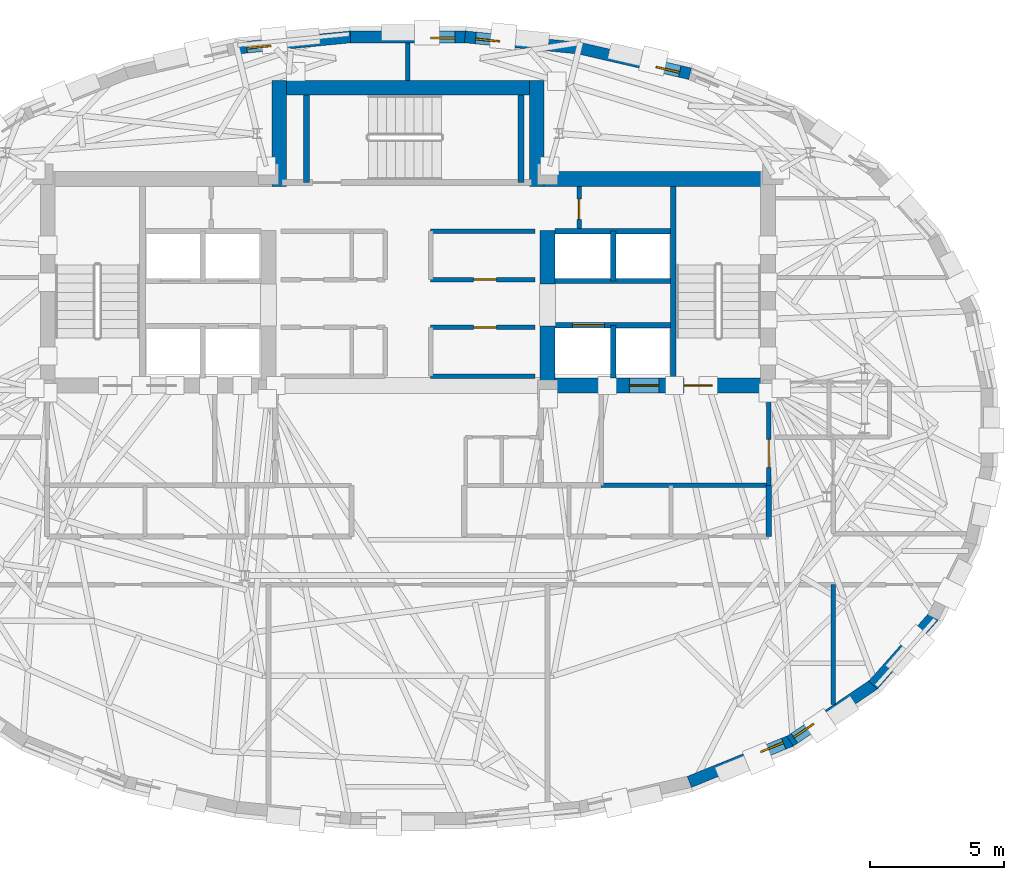
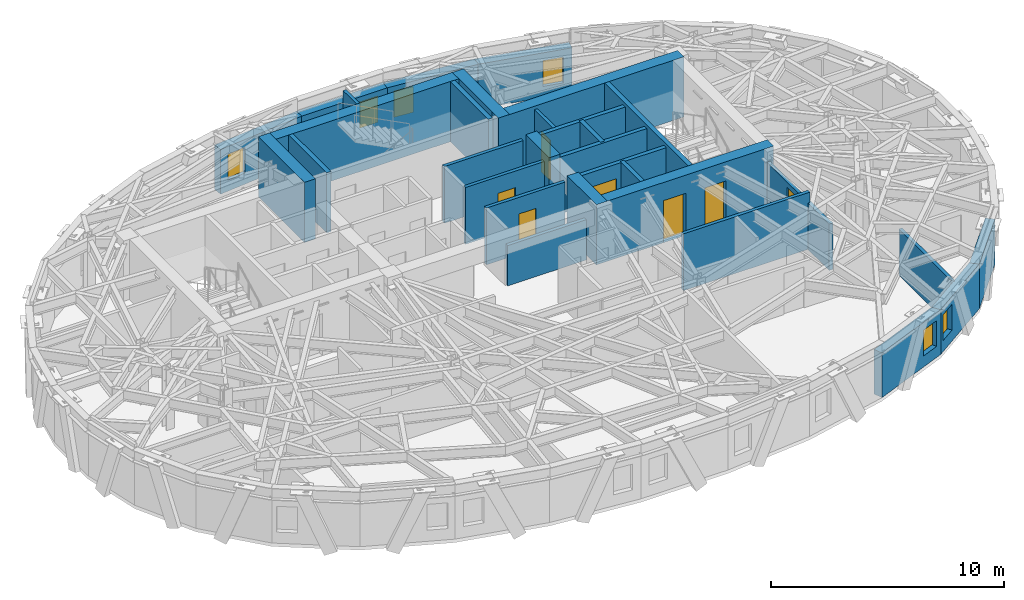
# One storey, part 8 of 12: 32 walls, 7 doors, 6 windows, 13 openings.
"""IFC4 building model written with IfcOpenShell, lengths in metres."""

from ifc_helpers import new_model, si_unit, direction, frame, frame_2d, origin, place, context, subcontext, project, spatial, rectangle, extrude, material, layer, layer_set, type_object, element, fill, save


model = new_model("IFC4")

# Units and contexts
model_context = context("Model", 3, precision=1e-05, world=origin(), true_north=direction((0.0, 1.0)))
body_context = subcontext(model_context, "Body", "Model", "MODEL_VIEW")
ifc_project = project(units=[si_unit("LENGTHUNIT", "METRE"), si_unit("AREAUNIT", "SQUARE_METRE"), si_unit("VOLUMEUNIT", "CUBIC_METRE"), si_unit("PLANEANGLEUNIT", "RADIAN"), si_unit("MASSUNIT", "GRAM", prefix="KILO")], contexts=[model_context])

# Site, building, storey
site_placement = place(None, origin())
site = spatial("IfcSite", under=ifc_project, at=site_placement, CompositionType="ELEMENT")
building_placement = place(site_placement, origin())
building = spatial("IfcBuilding", under=site, at=building_placement, Name="Keldmark Tower", CompositionType="ELEMENT")
storey_placement = place(building_placement, frame((0.0, 0.0, 238.35009765625)))
storey = spatial("IfcBuildingStorey", under=building, at=storey_placement, Name="L67", CompositionType="ELEMENT", Elevation=238.35009765625)

# Walls
ifc_material_1 = material(Name="Heavy Acoustic Plumbing Chase Gypsum Assembly", Category="gypsum")
ifc_layer_1 = layer(ifc_material_1, 0.18994140625)
ifc_layer_set_1 = layer_set([ifc_layer_1], Name="Heavy Acoustic Plumbing Chase Gypsum Assembly")
wall_type_1 = type_object("IfcWallType", Name="Heavy Wet Wall 190 mm", PredefinedType="PLUMBINGWALL", material=ifc_layer_set_1)
wall_1_placement = place(storey_placement, frame((13.449951171875, -4.050048828125, 0.0), z_axis=(0.0, 0.0, 1.0), x_axis=(0.0, 1.0, 0.0)))
element("IfcWall", 1, at=wall_1_placement, inside=storey, type_object=wall_type_1, Name="L67 Heavy Wet Wall 190 mm SPK-E-E", PredefinedType="PLUMBINGWALL", context=body_context, shape_type="SweptSolid", body=[
    extrude(rectangle(XDim=1.900146484375, YDim=0.18994140625, at=frame_2d((0.9501953125, 0.0))), origin(), (0.0, 0.0, 1.0), 2.4228515625),
])
ifc_material_2 = material(Name="Concrete C50/60", Category="concrete")
ifc_layer_2 = layer(ifc_material_2, 0.550048828125)
ifc_layer_set_2 = layer_set([ifc_layer_2], Name="Concrete C50/60")
wall_type_2 = type_object("IfcWallType", Name="High-Rise Core Shear Wall 550 mm", PredefinedType="SHEAR", material=ifc_layer_set_2)
wall_2_placement = place(storey_placement, frame((4.52490234375, 9.27490234375, 0.0), z_axis=(0.0, 0.0, 1.0), x_axis=(1.0, 0.0, 0.0)))
element("IfcWall", 2, at=wall_2_placement, inside=storey, type_object=wall_type_2, Name="L67 East Core North Shear Wall", PredefinedType="SHEAR", context=body_context, shape_type="SweptSolid", body=[
    extrude(rectangle(XDim=9.175048828125, YDim=0.550048828125, at=frame_2d((4.58740234375, 0.0))), origin(), (0.0, 0.0, 1.0), 3.14990234375),
])

# Wall, openings, doors
wall_3_placement = place(storey_placement, frame((13.699951171875, 1.574951171875, 0.0), z_axis=(0.0, 0.0, 1.0), x_axis=(-1.0, 0.0, 0.0)))
wall_3 = element("IfcWall", 3, at=wall_3_placement, inside=storey, type_object=wall_type_2, Name="L67 East Core South Shear Wall", PredefinedType="SHEAR", context=body_context, shape_type="SweptSolid", body=[
    extrude(rectangle(XDim=8.77490234375, YDim=0.550048828125, at=frame_2d((4.387451171875, 0.0))), origin(), (0.0, 0.0, 1.0), 3.14990234375),
])
opening_1_placement = place(wall_3_placement, frame((2.35009765625, 0.0, 0.0)))
opening_1 = element("IfcOpeningElement", 4, at=opening_1_placement, cuts=wall_3, Name="Opening D-ST105", PredefinedType="OPENING", context=body_context, shape_type="SweptSolid", body=[
    extrude(rectangle(XDim=1.050048828125, YDim=2.14990234375, at=frame_2d((0.52490234375, 1.074951171875))), frame((0.0, 0.284912109375, 0.0), z_axis=(0.0, -1.0, 0.0), x_axis=(1.0, 0.0, 0.0)), (0.0, 0.0, 1.0), 0.570068359375),
])
opening_2_placement = place(wall_3_placement, frame((4.35009765625, 0.0, 0.0)))
opening_2 = element("IfcOpeningElement", 5, at=opening_2_placement, cuts=wall_3, Name="Opening LD-110", PredefinedType="OPENING", context=body_context, shape_type="SweptSolid", body=[
    extrude(rectangle(XDim=1.10009765625, YDim=2.199951171875, at=frame_2d((0.550048828125, 1.10009765625))), frame((0.0, 0.284912109375, 0.0), z_axis=(0.0, -1.0, 0.0), x_axis=(1.0, 0.0, 0.0)), (0.0, 0.0, 1.0), 0.570068359375),
])
ifc_material_3 = material(Name="Brushed Bronze Hoistway Sliding Leaf", Category="metal")
door_type_1 = type_object("IfcDoorType", Name="Lift Landing Sliding Door 1100x2200", OperationType="SLIDING_TO_LEFT", PredefinedType="DOOR", material=ifc_material_3)
door_1_placement = place(opening_2_placement, origin())
door_1 = element("IfcDoor", 6, at=door_1_placement, inside=storey, type_object=door_type_1, Name="L67 Lift Landing Sliding Door 1100x2200 LD-EL-FS2-L67", OperationType="SLIDING_TO_LEFT", OverallHeight=2.199951171875, OverallWidth=1.10009765625, PredefinedType="DOOR", context=body_context, shape_type="SweptSolid", body=[
    extrude(rectangle(XDim=1.10009765625, YDim=2.199951171875, at=frame_2d((0.550048828125, 1.10009765625))), frame((0.0, 0.02490234375, 0.0), z_axis=(0.0, -1.0, 0.0), x_axis=(1.0, 0.0, 0.0)), (0.0, 0.0, 1.0), 0.050048828125),
])
fill(opening_2, door_1)
ifc_material_4 = material(Name="Hollow Metal Fire-Rated Door Assembly", Category="metal")
door_type_2 = type_object("IfcDoorType", Name="Stair Fire Door 1050x2150", OperationType="NOTDEFINED", PredefinedType="DOOR", material=ifc_material_4)
door_2_placement = place(opening_1_placement, origin())
door_2 = element("IfcDoor", 7, at=door_2_placement, inside=storey, type_object=door_type_2, Name="L67 Stair Fire Door 1050x2150 D-ST2-L67", OperationType="SINGLE_SWING_LEFT", OverallHeight=2.14990234375, OverallWidth=1.050048828125, PredefinedType="DOOR", context=body_context, shape_type="SweptSolid", body=[
    extrude(rectangle(XDim=1.050048828125, YDim=2.14990234375, at=frame_2d((0.52490234375, 1.074951171875))), frame((0.0, 0.02490234375, 0.0), z_axis=(0.0, -1.0, 0.0), x_axis=(1.0, 0.0, 0.0)), (0.0, 0.0, 1.0), 0.050048828125),
])
fill(opening_1, door_2)

# Walls
wall_4_placement = place(storey_placement, frame((5.199951171875, 1.300048828125, 0.0), z_axis=(0.0, 0.0, 1.0), x_axis=(0.0, 1.0, 0.0)))
element("IfcWall", 8, at=wall_4_placement, inside=storey, type_object=wall_type_2, Name="L67 East Core Inner Shear Pier South", PredefinedType="SHEAR", context=body_context, shape_type="SweptSolid", body=[
    extrude(rectangle(XDim=2.5, YDim=0.550048828125, at=frame_2d((1.25, 0.0))), origin(), (0.0, 0.0, 1.0), 3.14990234375),
])
wall_5_placement = place(storey_placement, frame((5.199951171875, 5.35009765625, 0.0), z_axis=(0.0, 0.0, 1.0), x_axis=(0.0, 1.0, 0.0)))
element("IfcWall", 9, at=wall_5_placement, inside=storey, type_object=wall_type_2, Name="L67 East Core Inner Shear Pier North", PredefinedType="SHEAR", context=body_context, shape_type="SweptSolid", body=[
    extrude(rectangle(XDim=2.0, YDim=0.550048828125, at=frame_2d((1.0, 0.0))), origin(), (0.0, 0.0, 1.0), 3.14990234375),
])
wall_6_placement = place(storey_placement, frame((-5.074951171875, 12.675048828125, 0.0), z_axis=(0.0, 0.0, 1.0), x_axis=(1.0, 0.0, 0.0)))
element("IfcWall", 10, at=wall_6_placement, inside=storey, type_object=wall_type_2, Name="L67 North Core Shear Wall", PredefinedType="SHEAR", context=body_context, shape_type="SweptSolid", body=[
    extrude(rectangle(XDim=10.14990234375, YDim=0.550048828125, at=frame_2d((5.074951171875, 0.0))), origin(), (0.0, 0.0, 1.0), 3.14990234375),
])
for number, where, z_axis, x_axis, name in (
    (11, (-4.800048828125, 9.0, 0.0), (0.0, 0.0, 1.0), (0.0, 1.0, 0.0), "L67 North Core West Shear Wall"),
    (12, (4.800048828125, 9.0, 0.0), (0.0, 0.0, 1.0), (0.0, 1.0, 0.0), "L67 North Core East Shear Wall"),
):
    element("IfcWall", number, at=place(storey_placement, frame(where, z_axis=z_axis, x_axis=x_axis)), inside=storey, type_object=wall_type_2, Name=name, PredefinedType="SHEAR", context=body_context, shape_type="SweptSolid", body=[
        extrude(rectangle(XDim=3.949951171875, YDim=0.550048828125, at=frame_2d((1.97509765625, 0.0))), origin(), (0.0, 0.0, 1.0), 3.14990234375),
    ])
ifc_material_5 = material(Name="Type X Fire-Rated Gypsum Partition Assembly", Category="gypsum")
ifc_layer_3 = layer(ifc_material_5, 0.1650390625)
ifc_layer_set_3 = layer_set([ifc_layer_3], Name="Type X Fire-Rated Gypsum Partition Assembly")
wall_type_3 = type_object("IfcWallType", Name="Rated Partition 165 mm", PredefinedType="PARTITIONING", material=ifc_layer_set_3)
wall_7_placement = place(storey_placement, frame((7.199951171875, -2.14990234375, 0.0), z_axis=(0.0, 0.0, 1.0), x_axis=(1.0, 0.0, 0.0)))
element("IfcWall", 13, at=wall_7_placement, inside=storey, type_object=wall_type_3, Name="L67 Rated Partition 165 mm FSAE-E-S", PredefinedType="PARTITIONING", context=body_context, shape_type="SweptSolid", body=[
    extrude(rectangle(XDim=6.25, YDim=0.1650390625, at=frame_2d((3.125, 0.0))), origin(), (0.0, 0.0, 1.0), 2.969970703125),
])

# Wall, opening, door
wall_8_placement = place(storey_placement, frame((13.449951171875, -2.14990234375, 0.0), z_axis=(0.0, 0.0, 1.0), x_axis=(0.0, 1.0, 0.0)))
wall_8 = element("IfcWall", 14, at=wall_8_placement, inside=storey, type_object=wall_type_3, Name="L67 Rated Partition 165 mm FSAE-E-E", PredefinedType="PARTITIONING", context=body_context, shape_type="SweptSolid", body=[
    extrude(rectangle(XDim=3.5, YDim=0.1650390625, at=frame_2d((1.75, 0.0))), origin(), (0.0, 0.0, 1.0), 2.4228515625),
])
opening_3_placement = place(wall_8_placement, frame((0.669921875, 0.0, 0.0)))
opening_3 = element("IfcOpeningElement", 15, at=opening_3_placement, cuts=wall_8, Name="Opening D-FL105", PredefinedType="OPENING", context=body_context, shape_type="SweptSolid", body=[
    extrude(rectangle(XDim=1.050048828125, YDim=2.14990234375, at=frame_2d((0.52490234375, 1.074951171875))), frame((0.0, 0.092529296875, 0.0), z_axis=(0.0, -1.0, 0.0), x_axis=(1.0, 0.0, 0.0)), (0.0, 0.0, 1.0), 0.18505859375),
])
ifc_material_6 = material(Name="Fire-Rated Mineral-Core Door and Vision Lite", Category="metal")
door_type_3 = type_object("IfcDoorType", Name="Fire Lobby Door 1050x2150", OperationType="NOTDEFINED", PredefinedType="DOOR", material=ifc_material_6)
door_3_placement = place(opening_3_placement, origin())
door_3 = element("IfcDoor", 16, at=door_3_placement, inside=storey, type_object=door_type_3, Name="L67 Fire Lobby Door 1050x2150 D-FSAEE-OUT-L67", OperationType="SINGLE_SWING_RIGHT", OverallHeight=2.14990234375, OverallWidth=1.050048828125, PredefinedType="DOOR", context=body_context, shape_type="SweptSolid", body=[
    extrude(rectangle(XDim=1.050048828125, YDim=2.14990234375, at=frame_2d((0.52490234375, 1.074951171875))), frame((0.0, 0.02490234375, 0.0), z_axis=(0.0, -1.0, 0.0), x_axis=(1.0, 0.0, 0.0)), (0.0, 0.0, 1.0), 0.050048828125),
])
fill(opening_3, door_3)

# Wall
wall_9_placement = place(storey_placement, frame((0.85009765625, 1.919921875, 0.0), z_axis=(0.0, 0.0, 1.0), x_axis=(1.0, 0.0, 0.0)))
element("IfcWall", 17, at=wall_9_placement, inside=storey, type_object=wall_type_3, Name="L67 Rated Partition 165 mm REC-LE-S", PredefinedType="PARTITIONING", context=body_context, shape_type="SweptSolid", body=[
    extrude(rectangle(XDim=3.889892578125, YDim=0.1650390625, at=frame_2d((1.94482421875, 0.0))), origin(), (0.0, 0.0, 1.0), 2.10986328125),
])

# Wall, opening, door
wall_10_placement = place(storey_placement, frame((0.85009765625, 3.739990234375, 0.0), z_axis=(0.0, 0.0, 1.0), x_axis=(1.0, 0.0, 0.0)))
wall_10 = element("IfcWall", 18, at=wall_10_placement, inside=storey, type_object=wall_type_3, Name="L67 Rated Partition 165 mm REC-LE-N", PredefinedType="PARTITIONING", context=body_context, shape_type="SweptSolid", body=[
    extrude(rectangle(XDim=3.889892578125, YDim=0.1650390625, at=frame_2d((1.94482421875, 0.0))), origin(), (0.0, 0.0, 1.0), 2.969970703125),
])
opening_4_placement = place(wall_10_placement, frame((1.60009765625, 0.0, 0.0)))
opening_4 = element("IfcOpeningElement", 19, at=opening_4_placement, cuts=wall_10, Name="Opening D-SV085", PredefinedType="OPENING", context=body_context, shape_type="SweptSolid", body=[
    extrude(rectangle(XDim=0.85009765625, YDim=2.10009765625, at=frame_2d((0.425048828125, 1.050048828125))), frame((0.0, 0.092529296875, 0.0), z_axis=(0.0, -1.0, 0.0), x_axis=(1.0, 0.0, 0.0)), (0.0, 0.0, 1.0), 0.18505859375),
])
ifc_material_7 = material(Name="Painted Hollow Metal Door Assembly", Category="metal")
door_type_4 = type_object("IfcDoorType", Name="Service Door 850x2100", OperationType="NOTDEFINED", PredefinedType="DOOR", material=ifc_material_7)
door_4_placement = place(opening_4_placement, origin())
door_4 = element("IfcDoor", 20, at=door_4_placement, inside=storey, type_object=door_type_4, Name="L67 Service Door 850x2100 D-RECLE1-L67", OperationType="SINGLE_SWING_LEFT", OverallHeight=2.10009765625, OverallWidth=0.85009765625, PredefinedType="DOOR", context=body_context, shape_type="SweptSolid", body=[
    extrude(rectangle(XDim=0.85009765625, YDim=2.10009765625, at=frame_2d((0.425048828125, 1.050048828125))), frame((0.0, 0.02490234375, 0.0), z_axis=(0.0, -1.0, 0.0), x_axis=(1.0, 0.0, 0.0)), (0.0, 0.0, 1.0), 0.050048828125),
])
fill(opening_4, door_4)

wall_11_placement = place(storey_placement, frame((0.85009765625, 5.52001953125, 0.0), z_axis=(0.0, 0.0, 1.0), x_axis=(1.0, 0.0, 0.0)))
wall_11 = element("IfcWall", 21, at=wall_11_placement, inside=storey, type_object=wall_type_3, Name="L67 Rated Partition 165 mm REC-ME-S", PredefinedType="PARTITIONING", context=body_context, shape_type="SweptSolid", body=[
    extrude(rectangle(XDim=3.889892578125, YDim=0.1650390625, at=frame_2d((1.94482421875, 0.0))), origin(), (0.0, 0.0, 1.0), 2.969970703125),
])
opening_5_placement = place(wall_11_placement, frame((1.60009765625, 0.0, 0.0)))
opening_5 = element("IfcOpeningElement", 22, at=opening_5_placement, cuts=wall_11, Name="Opening D-SV085", PredefinedType="OPENING", context=body_context, shape_type="SweptSolid", body=[
    extrude(rectangle(XDim=0.85009765625, YDim=2.10009765625, at=frame_2d((0.425048828125, 1.050048828125))), frame((0.0, 0.092529296875, 0.0), z_axis=(0.0, -1.0, 0.0), x_axis=(1.0, 0.0, 0.0)), (0.0, 0.0, 1.0), 0.18505859375),
])
door_5_placement = place(opening_5_placement, origin())
door_5 = element("IfcDoor", 23, at=door_5_placement, inside=storey, type_object=door_type_4, Name="L67 Service Door 850x2100 D-RECME1-L67", OperationType="SINGLE_SWING_RIGHT", OverallHeight=2.10009765625, OverallWidth=0.85009765625, PredefinedType="DOOR", context=body_context, shape_type="SweptSolid", body=[
    extrude(rectangle(XDim=0.85009765625, YDim=2.10009765625, at=frame_2d((0.425048828125, 1.050048828125))), frame((0.0, 0.02490234375, 0.0), z_axis=(0.0, -1.0, 0.0), x_axis=(1.0, 0.0, 0.0)), (0.0, 0.0, 1.0), 0.050048828125),
])
fill(opening_5, door_5)

# Wall
wall_12_placement = place(storey_placement, frame((0.85009765625, 7.330078125, 0.0), z_axis=(0.0, 0.0, 1.0), x_axis=(1.0, 0.0, 0.0)))
element("IfcWall", 24, at=wall_12_placement, inside=storey, type_object=wall_type_3, Name="L67 Rated Partition 165 mm REC-ME-N", PredefinedType="PARTITIONING", context=body_context, shape_type="SweptSolid", body=[
    extrude(rectangle(XDim=3.889892578125, YDim=0.1650390625, at=frame_2d((1.94482421875, 0.0))), origin(), (0.0, 0.0, 1.0), 2.969970703125),
])

# Wall, opening, door
wall_13_placement = place(storey_placement, frame((6.3798828125, 7.419921875, 0.0), z_axis=(0.0, 0.0, 1.0), x_axis=(0.0, 1.0, 0.0)))
wall_13 = element("IfcWall", 25, at=wall_13_placement, inside=storey, type_object=wall_type_3, Name="L67 Rated Partition 165 mm CS-NE-W", PredefinedType="PARTITIONING", context=body_context, shape_type="SweptSolid", body=[
    extrude(rectangle(XDim=1.580078125, YDim=0.1650390625, at=frame_2d((0.7900390625, 0.0))), origin(), (0.0, 0.0, 1.0), 2.969970703125),
])
opening_6_placement = place(wall_13_placement, frame((0.35009765625, 0.0, 0.0)))
opening_6 = element("IfcOpeningElement", 26, at=opening_6_placement, cuts=wall_13, Name="Opening D-RS075", PredefinedType="OPENING", context=body_context, shape_type="SweptSolid", body=[
    extrude(rectangle(XDim=0.75, YDim=2.10009765625, at=frame_2d((0.375, 1.050048828125))), frame((0.0, 0.092529296875, 0.0), z_axis=(0.0, -1.0, 0.0), x_axis=(1.0, 0.0, 0.0)), (0.0, 0.0, 1.0), 0.18505859375),
])
ifc_material_8 = material(Name="Galvanized Fire-Rated Access Leaf", Category="metal")
door_type_5 = type_object("IfcDoorType", Name="Riser Access Door 750x2100", OperationType="NOTDEFINED", PredefinedType="DOOR", material=ifc_material_8)
door_6_placement = place(opening_6_placement, origin())
door_6 = element("IfcDoor", 27, at=door_6_placement, inside=storey, type_object=door_type_5, Name="L67 Riser Access Door 750x2100 D-CSNE1-L67", OperationType="SINGLE_SWING_LEFT", OverallHeight=2.10009765625, OverallWidth=0.75, PredefinedType="DOOR", context=body_context, shape_type="SweptSolid", body=[
    extrude(rectangle(XDim=0.75, YDim=2.10009765625, at=frame_2d((0.375, 1.050048828125))), frame((0.0, 0.02490234375, 0.0), z_axis=(0.0, -1.0, 0.0), x_axis=(1.0, 0.0, 0.0)), (0.0, 0.0, 1.0), 0.050048828125),
])
fill(opening_6, door_6)

# Walls
wall_14_placement = place(storey_placement, frame((0.0, 12.949951171875, 0.0), z_axis=(0.0, 0.0, 1.0), x_axis=(0.0, 1.0, 0.0)))
element("IfcWall", 28, at=wall_14_placement, inside=storey, type_object=wall_type_3, Name="L67 Rated Partition 165 mm RN-DIV", PredefinedType="PARTITIONING", context=body_context, shape_type="SweptSolid", body=[
    extrude(rectangle(XDim=1.390869140625, YDim=0.1650390625, at=frame_2d((0.6953125, 0.0))), origin(), (0.0, 0.0, 1.0), 2.969970703125),
])
wall_15_placement = place(storey_placement, frame((15.85009765625, -10.322265625, 0.0), z_axis=(0.0, 0.0, 1.0), x_axis=(0.0, 1.0, 0.0)))
element("IfcWall", 29, at=wall_15_placement, inside=storey, type_object=wall_type_3, Name="L67 Rated Partition 165 mm RS-ECAP", PredefinedType="PARTITIONING", context=body_context, shape_type="SweptSolid", body=[
    extrude(rectangle(XDim=4.47216796875, YDim=0.1650390625, at=frame_2d((2.236083984375, 0.0))), origin(), (0.0, 0.0, 1.0), 2.4228515625),
])

# Wall, opening, door
ifc_material_9 = material(Name="Fire-Resistant Type X Gypsum Shaftliner Coreboard", Category="gypsum")
ifc_layer_4 = layer(ifc_material_9, 0.199951171875)
ifc_layer_set_4 = layer_set([ifc_layer_4], Name="Fire-Resistant Type X Gypsum Shaftliner Coreboard")
wall_type_4 = type_object("IfcWallType", Name="Shaft Wall 200 mm", PredefinedType="SOLIDWALL", material=ifc_layer_set_4)
wall_16_placement = place(storey_placement, frame((5.47509765625, 3.820068359375, 0.0), z_axis=(0.0, 0.0, 1.0), x_axis=(1.0, 0.0, 0.0)))
wall_16 = element("IfcWall", 30, at=wall_16_placement, inside=storey, type_object=wall_type_4, Name="L67 Shaft Wall 200 mm HW-E-S", PredefinedType="SOLIDWALL", context=body_context, shape_type="SweptSolid", body=[
    extrude(rectangle(XDim=4.304931640625, YDim=0.199951171875, at=frame_2d((2.15234375, 0.0))), origin(), (0.0, 0.0, 1.0), 2.969970703125),
])
opening_7_placement = place(wall_16_placement, frame((0.64990234375, 0.0, 0.0)))
opening_7 = element("IfcOpeningElement", 31, at=opening_7_placement, cuts=wall_16, Name="Opening LD-120", PredefinedType="OPENING", context=body_context, shape_type="SweptSolid", body=[
    extrude(rectangle(XDim=1.199951171875, YDim=2.199951171875, at=frame_2d((0.60009765625, 1.10009765625))), frame((0.0, 0.10986328125, 0.0), z_axis=(0.0, -1.0, 0.0), x_axis=(1.0, 0.0, 0.0)), (0.0, 0.0, 1.0), 0.219970703125),
])
ifc_material_10 = material(Name="Heavy-Duty Brushed Metal Hoistway Sliding Leaf", Category="metal")
door_type_6 = type_object("IfcDoorType", Name="Service Lift Sliding Door 1200x2200", OperationType="SLIDING_TO_RIGHT", PredefinedType="DOOR", material=ifc_material_10)
door_7_placement = place(opening_7_placement, origin())
door_7 = element("IfcDoor", 32, at=door_7_placement, inside=storey, type_object=door_type_6, Name="L67 Service Lift Sliding Door 1200x2200 LD-EL-SV1-L67", OperationType="SLIDING_TO_RIGHT", OverallHeight=2.199951171875, OverallWidth=1.199951171875, PredefinedType="DOOR", context=body_context, shape_type="SweptSolid", body=[
    extrude(rectangle(XDim=1.199951171875, YDim=2.199951171875, at=frame_2d((0.60009765625, 1.10009765625))), frame((0.0, 0.02490234375, 0.0), z_axis=(0.0, -1.0, 0.0), x_axis=(1.0, 0.0, 0.0)), (0.0, 0.0, 1.0), 0.050048828125),
])
fill(opening_7, door_7)

# Walls
wall_17_placement = place(storey_placement, frame((7.64990234375, 1.85009765625, 0.0), z_axis=(0.0, 0.0, 1.0), x_axis=(0.0, 1.0, 0.0)))
element("IfcWall", 33, at=wall_17_placement, inside=storey, type_object=wall_type_4, Name="L67 Shaft Wall 200 mm HW-E-M", PredefinedType="SOLIDWALL", context=body_context, shape_type="SweptSolid", body=[
    extrude(rectangle(XDim=1.969970703125, YDim=0.199951171875, at=frame_2d((0.98486328125, 0.0))), origin(), (0.0, 0.0, 1.0), 2.969970703125),
])
for number, where, z_axis, x_axis, name in (
    (34, (5.47509765625, 5.469970703125, 0.0), (0.0, 0.0, 1.0), (1.0, 0.0, 0.0), "L67 Shaft Wall 200 mm HW-E-N"),
    (35, (5.47509765625, 7.330078125, 0.0), (0.0, 0.0, 1.0), (1.0, 0.0, 0.0), "L67 Shaft Wall 200 mm HW-E-TOP"),
):
    element("IfcWall", number, at=place(storey_placement, frame(where, z_axis=z_axis, x_axis=x_axis)), inside=storey, type_object=wall_type_4, Name=name, PredefinedType="SOLIDWALL", context=body_context, shape_type="SweptSolid", body=[
        extrude(rectangle(XDim=4.304931640625, YDim=0.199951171875, at=frame_2d((2.15234375, 0.0))), origin(), (0.0, 0.0, 1.0), 2.969970703125),
    ])
wall_18_placement = place(storey_placement, frame((7.64990234375, 5.469970703125, 0.0), z_axis=(0.0, 0.0, 1.0), x_axis=(0.0, 1.0, 0.0)))
element("IfcWall", 36, at=wall_18_placement, inside=storey, type_object=wall_type_4, Name="L67 Shaft Wall 200 mm HW-E-NM", PredefinedType="SOLIDWALL", context=body_context, shape_type="SweptSolid", body=[
    extrude(rectangle(XDim=1.860107421875, YDim=0.199951171875, at=frame_2d((0.93017578125, 0.0))), origin(), (0.0, 0.0, 1.0), 2.969970703125),
])
ifc_material_11 = material(Name="Concrete C50/60", Category="concrete")
ifc_layer_5 = layer(ifc_material_11, 0.219970703125)
ifc_layer_set_5 = layer_set([ifc_layer_5], Name="Concrete C50/60")
wall_type_5 = type_object("IfcWallType", Name="Stair Core Shear Wall 220 mm", PredefinedType="SHEAR", material=ifc_layer_set_5)
wall_19_placement = place(storey_placement, frame((9.889892578125, 1.85009765625, 0.0), z_axis=(0.0, 0.0, 1.0), x_axis=(0.0, 1.0, 0.0)))
element("IfcWall", 37, at=wall_19_placement, inside=storey, type_object=wall_type_5, Name="L67 East Stair Core Shear Wall", PredefinedType="SHEAR", context=body_context, shape_type="SweptSolid", body=[
    extrude(rectangle(XDim=7.14990234375, YDim=0.219970703125, at=frame_2d((3.574951171875, 0.0))), origin(), (0.0, 0.0, 1.0), 3.14990234375),
])
for number, where, z_axis, x_axis, name in (
    (38, (-3.784912109375, 9.139892578125, 0.0), (0.0, 0.0, 1.0), (0.0, 1.0, 0.0), "L67 Central Stair Core West Shear Wall"),
    (39, (4.215087890625, 9.139892578125, 0.0), (0.0, 0.0, 1.0), (0.0, 1.0, 0.0), "L67 Central Stair Core East Shear Wall"),
):
    element("IfcWall", number, at=place(storey_placement, frame(where, z_axis=z_axis, x_axis=x_axis)), inside=storey, type_object=wall_type_5, Name=name, PredefinedType="SHEAR", context=body_context, shape_type="SweptSolid", body=[
        extrude(rectangle(XDim=3.260009765625, YDim=0.219970703125, at=frame_2d((1.6298828125, 0.0))), origin(), (0.0, 0.0, 1.0), 3.14990234375),
    ])

# Wall, opening, window
ifc_material_12 = material(Name="Ironspot Manganese Brick and Kasota Buff Limestone Spandrel Assembly", Category="masonry")
ifc_layer_6 = layer(ifc_material_12, 0.43994140625)
ifc_layer_set_6 = layer_set([ifc_layer_6], Name="Ironspot Manganese Brick and Kasota Buff Limestone Spandrel Assembly")
wall_type_6 = type_object("IfcWallType", Name="Tower Brick Pier and Spandrel Wall 440 mm", PredefinedType="STANDARD", material=ifc_layer_set_6)
wall_20_placement = place(storey_placement, frame((6.376708984375, 14.150634765625, 0.0), z_axis=(0.0, 0.0, 1.0), x_axis=(0.974398936081, -0.224825962391, 0.0)))
wall_20 = element("IfcWall", 40, at=wall_20_placement, inside=storey, type_object=wall_type_6, Name="L67 Exterior Brick and Spandrel Wall 06", PredefinedType="STANDARD", context=body_context, shape_type="SweptSolid", body=[
    extrude(rectangle(XDim=4.25244140625, YDim=0.43994140625, at=frame_2d((2.126220703125, 0.0))), origin(), (0.0, 0.0, 1.0), 2.3359375),
])
opening_8_placement = place(wall_20_placement, frame((2.95556640625, 0.0, 0.580078125)))
opening_8 = element("IfcOpeningElement", 41, at=opening_8_placement, cuts=wall_20, Name="Opening W-09", PredefinedType="OPENING", context=body_context, shape_type="SweptSolid", body=[
    extrude(rectangle(XDim=0.89990234375, YDim=1.35009765625, at=frame_2d((0.449951171875, 0.675048828125))), frame((0.0, 0.22998046875, 0.0), z_axis=(0.0, -1.0, 0.0), x_axis=(1.0, 0.0, 0.0)), (0.0, 0.0, 1.0), 0.4599609375),
])
ifc_material_13 = material(Name="Thermally Broken Anodized Aluminum and Triple Low-E Argon Glazing", Category="aluminium")
window_type = type_object("IfcWindowType", Name="Corner Pier Deep-Set Window 900x1350", PartitioningType="SINGLE_PANEL", PredefinedType="WINDOW", material=ifc_material_13)
window_1_placement = place(opening_8_placement, origin())
window_1 = element("IfcWindow", 42, at=window_1_placement, inside=storey, type_object=window_type, Name="L67 Deep-Set Window 06", OverallHeight=1.35009765625, OverallWidth=0.89990234375, PartitioningType="SINGLE_PANEL", PredefinedType="WINDOW", context=body_context, shape_type="SweptSolid", body=[
    extrude(rectangle(XDim=0.89990234375, YDim=1.35009765625, at=frame_2d((0.449951171875, 0.675048828125))), frame((0.0, -0.010009765625, 0.0), z_axis=(0.0, -1.0, 0.0), x_axis=(1.0, 0.0, 0.0)), (0.0, 0.0, 1.0), 0.06005859375),
])
fill(opening_8, window_1)

wall_21_placement = place(storey_placement, frame((2.126220703125, 14.56982421875, 0.0), z_axis=(0.0, 0.0, 1.0), x_axis=(0.995134540264, -0.098525361068, 0.0)))
wall_21 = element("IfcWall", 43, at=wall_21_placement, inside=storey, type_object=wall_type_6, Name="L67 Exterior Brick and Spandrel Wall 07", PredefinedType="STANDARD", context=body_context, shape_type="SweptSolid", body=[
    extrude(rectangle(XDim=4.29931640625, YDim=0.43994140625, at=frame_2d((2.149658203125, 0.0))), origin(), (0.0, 0.0, 1.0), 2.3359375),
])
opening_9_placement = place(wall_21_placement, frame((0.39990234375, 0.0, 0.580078125)))
opening_9 = element("IfcOpeningElement", 44, at=opening_9_placement, cuts=wall_21, Name="Opening W-09", PredefinedType="OPENING", context=body_context, shape_type="SweptSolid", body=[
    extrude(rectangle(XDim=0.89990234375, YDim=1.35009765625, at=frame_2d((0.449951171875, 0.675048828125))), frame((0.0, 0.22998046875, 0.0), z_axis=(0.0, -1.0, 0.0), x_axis=(1.0, 0.0, 0.0)), (0.0, 0.0, 1.0), 0.4599609375),
])
window_2_placement = place(opening_9_placement, origin())
window_2 = element("IfcWindow", 45, at=window_2_placement, inside=storey, type_object=window_type, Name="L67 Deep-Set Window 07", OverallHeight=1.35009765625, OverallWidth=0.89990234375, PartitioningType="SINGLE_PANEL", PredefinedType="WINDOW", context=body_context, shape_type="SweptSolid", body=[
    extrude(rectangle(XDim=0.89990234375, YDim=1.35009765625, at=frame_2d((0.449951171875, 0.675048828125))), frame((0.0, -0.010009765625, 0.0), z_axis=(0.0, -1.0, 0.0), x_axis=(1.0, 0.0, 0.0)), (0.0, 0.0, 1.0), 0.06005859375),
])
fill(opening_9, window_2)

wall_22_placement = place(storey_placement, frame((-2.14794921875, 14.56884765625, 0.0), z_axis=(0.0, 0.0, 1.0), x_axis=(1.0, 0.0, 0.0)))
wall_22 = element("IfcWall", 46, at=wall_22_placement, inside=storey, type_object=wall_type_6, Name="L67 Exterior Brick and Spandrel Wall 08", PredefinedType="STANDARD", context=body_context, shape_type="SweptSolid", body=[
    extrude(rectangle(XDim=4.2958984375, YDim=0.43994140625, at=frame_2d((2.14794921875, 0.0))), origin(), (0.0, 0.0, 1.0), 2.3359375),
])
opening_10_placement = place(wall_22_placement, frame((2.996337890625, 0.0, 0.580078125)))
opening_10 = element("IfcOpeningElement", 47, at=opening_10_placement, cuts=wall_22, Name="Opening W-09", PredefinedType="OPENING", context=body_context, shape_type="SweptSolid", body=[
    extrude(rectangle(XDim=0.89990234375, YDim=1.35009765625, at=frame_2d((0.449951171875, 0.675048828125))), frame((0.0, 0.22998046875, 0.0), z_axis=(0.0, -1.0, 0.0), x_axis=(1.0, 0.0, 0.0)), (0.0, 0.0, 1.0), 0.4599609375),
])
window_3_placement = place(opening_10_placement, origin())
window_3 = element("IfcWindow", 48, at=window_3_placement, inside=storey, type_object=window_type, Name="L67 Deep-Set Window 08", OverallHeight=1.35009765625, OverallWidth=0.89990234375, PartitioningType="SINGLE_PANEL", PredefinedType="WINDOW", context=body_context, shape_type="SweptSolid", body=[
    extrude(rectangle(XDim=0.89990234375, YDim=1.35009765625, at=frame_2d((0.449951171875, 0.675048828125))), frame((0.0, -0.010009765625, 0.0), z_axis=(0.0, -1.0, 0.0), x_axis=(1.0, 0.0, 0.0)), (0.0, 0.0, 1.0), 0.06005859375),
])
fill(opening_10, window_3)

wall_23_placement = place(storey_placement, frame((-6.404541015625, 14.146240234375, 0.0), z_axis=(0.0, 0.0, 1.0), x_axis=(0.995134540264, 0.098525361068, 0.0)))
wall_23 = element("IfcWall", 49, at=wall_23_placement, inside=storey, type_object=wall_type_6, Name="L67 Exterior Brick and Spandrel Wall 09", PredefinedType="STANDARD", context=body_context, shape_type="SweptSolid", body=[
    extrude(rectangle(XDim=4.29931640625, YDim=0.43994140625, at=frame_2d((2.149658203125, 0.0))), origin(), (0.0, 0.0, 1.0), 2.3359375),
])
opening_11_placement = place(wall_23_placement, frame((0.39990234375, 0.0, 0.580078125)))
opening_11 = element("IfcOpeningElement", 50, at=opening_11_placement, cuts=wall_23, Name="Opening W-09", PredefinedType="OPENING", context=body_context, shape_type="SweptSolid", body=[
    extrude(rectangle(XDim=0.89990234375, YDim=1.35009765625, at=frame_2d((0.449951171875, 0.675048828125))), frame((0.0, 0.22998046875, 0.0), z_axis=(0.0, -1.0, 0.0), x_axis=(1.0, 0.0, 0.0)), (0.0, 0.0, 1.0), 0.4599609375),
])
window_4_placement = place(opening_11_placement, origin())
window_4 = element("IfcWindow", 51, at=window_4_placement, inside=storey, type_object=window_type, Name="L67 Deep-Set Window 09", OverallHeight=1.35009765625, OverallWidth=0.89990234375, PartitioningType="SINGLE_PANEL", PredefinedType="WINDOW", context=body_context, shape_type="SweptSolid", body=[
    extrude(rectangle(XDim=0.89990234375, YDim=1.35009765625, at=frame_2d((0.449951171875, 0.675048828125))), frame((0.0, -0.010009765625, 0.0), z_axis=(0.0, -1.0, 0.0), x_axis=(1.0, 0.0, 0.0)), (0.0, 0.0, 1.0), 0.06005859375),
])
fill(opening_11, window_4)

wall_24_placement = place(storey_placement, frame((14.283203125, -11.666015625, 0.0), z_axis=(0.0, 0.0, 1.0), x_axis=(-0.926731976866, -0.375723093586, 0.0)))
wall_24 = element("IfcWall", 52, at=wall_24_placement, inside=storey, type_object=wall_type_6, Name="L67 Exterior Brick and Spandrel Wall 27", PredefinedType="STANDARD", context=body_context, shape_type="SweptSolid", body=[
    extrude(rectangle(XDim=4.09619140625, YDim=0.43994140625, at=frame_2d((2.048095703125, 0.0))), origin(), (0.0, 0.0, 1.0), 2.3359375),
])
opening_12_placement = place(wall_24_placement, frame((0.2998046875, 0.0, 0.580078125)))
opening_12 = element("IfcOpeningElement", 53, at=opening_12_placement, cuts=wall_24, Name="Opening W-09", PredefinedType="OPENING", context=body_context, shape_type="SweptSolid", body=[
    extrude(rectangle(XDim=0.89990234375, YDim=1.35009765625, at=frame_2d((0.449951171875, 0.675048828125))), frame((0.0, 0.22998046875, 0.0), z_axis=(0.0, -1.0, 0.0), x_axis=(1.0, 0.0, 0.0)), (0.0, 0.0, 1.0), 0.4599609375),
])
window_5_placement = place(opening_12_placement, origin())
window_5 = element("IfcWindow", 54, at=window_5_placement, inside=storey, type_object=window_type, Name="L67 Deep-Set Window 27", OverallHeight=1.35009765625, OverallWidth=0.89990234375, PartitioningType="SINGLE_PANEL", PredefinedType="WINDOW", context=body_context, shape_type="SweptSolid", body=[
    extrude(rectangle(XDim=0.89990234375, YDim=1.35009765625, at=frame_2d((0.449951171875, 0.675048828125))), frame((0.0, -0.010009765625, 0.0), z_axis=(0.0, -1.0, 0.0), x_axis=(1.0, 0.0, 0.0)), (0.0, 0.0, 1.0), 0.06005859375),
])
fill(opening_12, window_5)

wall_25_placement = place(storey_placement, frame((17.38134765625, -9.559326171875, 0.0), z_axis=(0.0, 0.0, 1.0), x_axis=(-0.827637036896, -0.561263694851, 0.0)))
wall_25 = element("IfcWall", 55, at=wall_25_placement, inside=storey, type_object=wall_type_6, Name="L67 Exterior Brick and Spandrel Wall 28", PredefinedType="STANDARD", context=body_context, shape_type="SweptSolid", body=[
    extrude(rectangle(XDim=3.792724609375, YDim=0.43994140625, at=frame_2d((1.896484375, 0.0))), origin(), (0.0, 0.0, 1.0), 2.3359375),
])
opening_13_placement = place(wall_25_placement, frame((2.692626953125, 0.0, 0.580078125)))
opening_13 = element("IfcOpeningElement", 56, at=opening_13_placement, cuts=wall_25, Name="Opening W-09", PredefinedType="OPENING", context=body_context, shape_type="SweptSolid", body=[
    extrude(rectangle(XDim=0.89990234375, YDim=1.35009765625, at=frame_2d((0.449951171875, 0.675048828125))), frame((0.0, 0.22998046875, 0.0), z_axis=(0.0, -1.0, 0.0), x_axis=(1.0, 0.0, 0.0)), (0.0, 0.0, 1.0), 0.4599609375),
])
window_6_placement = place(opening_13_placement, origin())
window_6 = element("IfcWindow", 57, at=window_6_placement, inside=storey, type_object=window_type, Name="L67 Deep-Set Window 28", OverallHeight=1.35009765625, OverallWidth=0.89990234375, PartitioningType="SINGLE_PANEL", PredefinedType="WINDOW", context=body_context, shape_type="SweptSolid", body=[
    extrude(rectangle(XDim=0.89990234375, YDim=1.35009765625, at=frame_2d((0.449951171875, 0.675048828125))), frame((0.0, -0.010009765625, 0.0), z_axis=(0.0, -1.0, 0.0), x_axis=(1.0, 0.0, 0.0)), (0.0, 0.0, 1.0), 0.06005859375),
])
fill(opening_13, window_6)

# Wall
wall_26_placement = place(storey_placement, frame((19.609619140625, -7.021728515625, 0.0), z_axis=(0.0, 0.0, 1.0), x_axis=(-0.66136043846, -0.750068243855, 0.0)))
element("IfcWall", 58, at=wall_26_placement, inside=storey, type_object=wall_type_6, Name="L67 Exterior Brick and Spandrel Wall 29", PredefinedType="STANDARD", context=body_context, shape_type="SweptSolid", body=[
    extrude(rectangle(XDim=3.431884765625, YDim=0.43994140625, at=frame_2d((1.7158203125, 0.0))), origin(), (0.0, 0.0, 1.0), 2.3359375),
])

save(model, "model.ifc")
